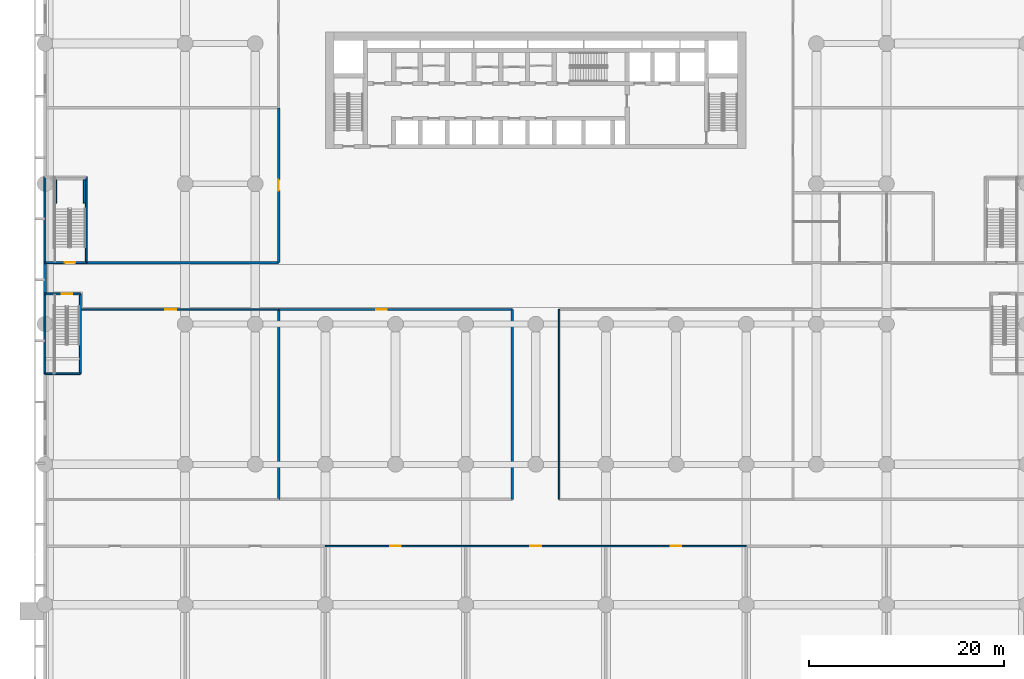
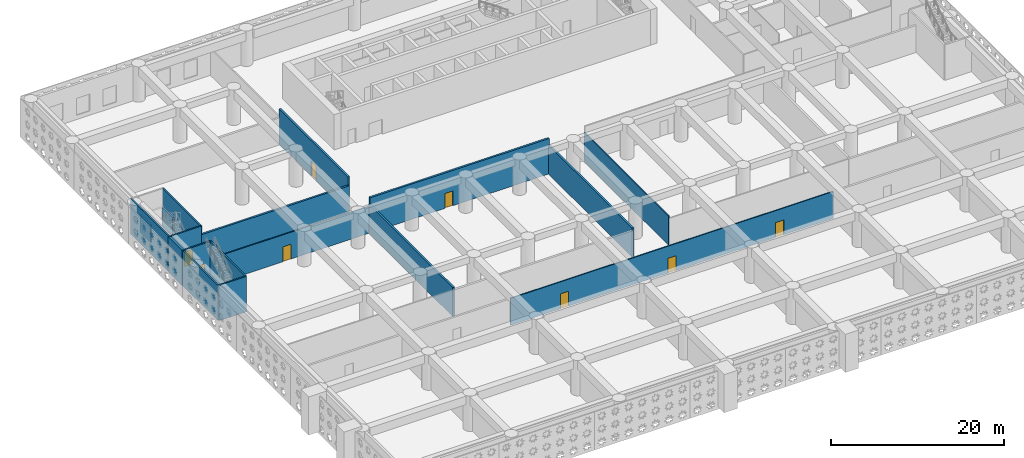
# One storey, part 5 of 30: 18 walls, 8 doors, 8 openings.
"""IFC4 building model written with IfcOpenShell, lengths in metres."""

from ifc_helpers import new_model, si_unit, direction, frame, frame_2d, origin, place, context, subcontext, project, spatial, rectangle, extrude, material, layer, layer_set, type_object, element, fill, save


model = new_model("IFC4")

# Units and contexts
model_context = context("Model", 3, precision=1e-05, world=origin(), true_north=direction((0.0, 1.0)))
body_context = subcontext(model_context, "Body", "Model", "MODEL_VIEW")
ifc_project = project(units=[si_unit("LENGTHUNIT", "METRE"), si_unit("AREAUNIT", "SQUARE_METRE"), si_unit("VOLUMEUNIT", "CUBIC_METRE"), si_unit("PLANEANGLEUNIT", "RADIAN"), si_unit("MASSUNIT", "GRAM", prefix="KILO")], contexts=[model_context])

# Site, building, storey
site_placement = place(None, origin())
site = spatial("IfcSite", under=ifc_project, at=site_placement, CompositionType="ELEMENT")
building_placement = place(site_placement, origin())
building = spatial("IfcBuilding", under=site, at=building_placement, Name="Saffron Iwan Residences", CompositionType="ELEMENT")
storey_placement = place(building_placement, frame((0.0, 0.0, 7.800048828125)))
storey = spatial("IfcBuildingStorey", under=building, at=storey_placement, Name="L01", CompositionType="ELEMENT", Elevation=7.800048828125)

# Wall, openings, doors
ifc_material_1 = material(Name="Concrete blockwork", Category="masonry")
ifc_layer_1 = layer(ifc_material_1, 0.14990234375)
ifc_layer_set_1 = layer_set([ifc_layer_1], Name="Concrete blockwork")
wall_type_1 = type_object("IfcWallType", Name="Blockwork partition 150", PredefinedType="PARTITIONING", material=ifc_layer_set_1)
wall_1_placement = place(storey_placement, frame((28.800048828125, 25.199951171875, 0.0), z_axis=(0.0, 0.0, 1.0), x_axis=(1.0, 0.0, 0.0)))
wall_1 = element("IfcWall", 1, at=wall_1_placement, inside=storey, type_object=wall_type_1, Name="W-L01-002", PredefinedType="PARTITIONING", context=body_context, shape_type="SweptSolid", body=[
    extrude(rectangle(XDim=43.199951171875, YDim=0.14990234375, at=frame_2d((21.60009765625, 0.0))), origin(), (0.0, 0.0, 1.0), 3.800048828125),
])
opening_1_placement = place(wall_1_placement, frame((6.64990234375, 0.0, 0.0)))
opening_1 = element("IfcOpeningElement", 2, at=opening_1_placement, cuts=wall_1, Name="Opening L01.03", PredefinedType="OPENING", context=body_context, shape_type="SweptSolid", body=[
    extrude(rectangle(XDim=1.10009765625, YDim=2.10009765625, at=frame_2d((0.550048828125, 1.050048828125))), frame((0.0, 0.0849609375, 0.0), z_axis=(0.0, -1.0, 0.0), x_axis=(1.0, 0.0, 0.0)), (0.0, 0.0, 1.0), 0.169921875),
])
opening_2_placement = place(wall_1_placement, frame((21.050048828125, 0.0, 0.0)))
opening_2 = element("IfcOpeningElement", 3, at=opening_2_placement, cuts=wall_1, Name="Opening L01.04", PredefinedType="OPENING", context=body_context, shape_type="SweptSolid", body=[
    extrude(rectangle(XDim=1.10009765625, YDim=2.10009765625, at=frame_2d((0.550048828125, 1.050048828125))), frame((0.0, 0.0849609375, 0.0), z_axis=(0.0, -1.0, 0.0), x_axis=(1.0, 0.0, 0.0)), (0.0, 0.0, 1.0), 0.169921875),
])
opening_3_placement = place(wall_1_placement, frame((35.449951171875, 0.0, 0.0)))
opening_3 = element("IfcOpeningElement", 4, at=opening_3_placement, cuts=wall_1, Name="Opening L01.05", PredefinedType="OPENING", context=body_context, shape_type="SweptSolid", body=[
    extrude(rectangle(XDim=1.10009765625, YDim=2.10009765625, at=frame_2d((0.550048828125, 1.050048828125))), frame((0.0, 0.0849609375, 0.0), z_axis=(0.0, -1.0, 0.0), x_axis=(1.0, 0.0, 0.0)), (0.0, 0.0, 1.0), 0.169921875),
])
ifc_material_2 = material(Name="Timber", Category="wood")
door_type_1 = type_object("IfcDoorType", Name="Door 1100x2100", OperationType="NOTDEFINED", PredefinedType="DOOR", material=ifc_material_2)
door_1_placement = place(opening_1_placement, origin())
door_1 = element("IfcDoor", 5, at=door_1_placement, inside=storey, type_object=door_type_1, Name="D-L01-003", OperationType="SINGLE_SWING_LEFT", OverallHeight=2.10009765625, OverallWidth=1.10009765625, PredefinedType="DOOR", context=body_context, shape_type="SweptSolid", body=[
    extrude(rectangle(XDim=1.10009765625, YDim=2.10009765625, at=frame_2d((0.550048828125, 1.050048828125))), frame((0.0, 0.02490234375, 0.0), z_axis=(0.0, -1.0, 0.0), x_axis=(1.0, 0.0, 0.0)), (0.0, 0.0, 1.0), 0.050048828125),
])
fill(opening_1, door_1)
door_2_placement = place(opening_2_placement, origin())
door_2 = element("IfcDoor", 6, at=door_2_placement, inside=storey, type_object=door_type_1, Name="D-L01-004", OperationType="SINGLE_SWING_RIGHT", OverallHeight=2.10009765625, OverallWidth=1.10009765625, PredefinedType="DOOR", context=body_context, shape_type="SweptSolid", body=[
    extrude(rectangle(XDim=1.10009765625, YDim=2.10009765625, at=frame_2d((0.550048828125, 1.050048828125))), frame((0.0, 0.02490234375, 0.0), z_axis=(0.0, -1.0, 0.0), x_axis=(1.0, 0.0, 0.0)), (0.0, 0.0, 1.0), 0.050048828125),
])
fill(opening_2, door_2)
door_3_placement = place(opening_3_placement, origin())
door_3 = element("IfcDoor", 7, at=door_3_placement, inside=storey, type_object=door_type_1, Name="D-L01-005", OperationType="SINGLE_SWING_RIGHT", OverallHeight=2.10009765625, OverallWidth=1.10009765625, PredefinedType="DOOR", context=body_context, shape_type="SweptSolid", body=[
    extrude(rectangle(XDim=1.10009765625, YDim=2.10009765625, at=frame_2d((0.550048828125, 1.050048828125))), frame((0.0, 0.02490234375, 0.0), z_axis=(0.0, -1.0, 0.0), x_axis=(1.0, 0.0, 0.0)), (0.0, 0.0, 1.0), 0.050048828125),
])
fill(opening_3, door_3)

# Wall, opening, door
wall_2_placement = place(storey_placement, frame((3.75, 49.5, 0.0), z_axis=(0.0, 0.0, 1.0), x_axis=(1.0, 0.0, 0.0)))
wall_2 = element("IfcWall", 8, at=wall_2_placement, inside=storey, type_object=wall_type_1, Name="W-L01-011", PredefinedType="PARTITIONING", context=body_context, shape_type="SweptSolid", body=[
    extrude(rectangle(XDim=20.25, YDim=0.14990234375, at=frame_2d((10.125, 0.0))), origin(), (0.0, 0.0, 1.0), 3.800048828125),
])
opening_4_placement = place(wall_2_placement, frame((8.625, 0.0, 0.0)))
opening_4 = element("IfcOpeningElement", 9, at=opening_4_placement, cuts=wall_2, Name="Opening L01.08", PredefinedType="OPENING", context=body_context, shape_type="SweptSolid", body=[
    extrude(rectangle(XDim=1.10009765625, YDim=2.10009765625, at=frame_2d((0.550048828125, 1.050048828125))), frame((0.0, 0.0849609375, 0.0), z_axis=(0.0, -1.0, 0.0), x_axis=(1.0, 0.0, 0.0)), (0.0, 0.0, 1.0), 0.169921875),
])
door_4_placement = place(opening_4_placement, origin())
door_4 = element("IfcDoor", 10, at=door_4_placement, inside=storey, type_object=door_type_1, Name="D-L01-008", OperationType="SINGLE_SWING_LEFT", OverallHeight=2.10009765625, OverallWidth=1.10009765625, PredefinedType="DOOR", context=body_context, shape_type="SweptSolid", body=[
    extrude(rectangle(XDim=1.10009765625, YDim=2.10009765625, at=frame_2d((0.550048828125, 1.050048828125))), frame((0.0, 0.02490234375, 0.0), z_axis=(0.0, -1.0, 0.0), x_axis=(1.0, 0.0, 0.0)), (0.0, 0.0, 1.0), 0.050048828125),
])
fill(opening_4, door_4)

# Wall
wall_3_placement = place(storey_placement, frame((52.800048828125, 30.0, 0.0), z_axis=(0.0, 0.0, 1.0), x_axis=(0.0, 1.0, 0.0)))
element("IfcWall", 11, at=wall_3_placement, inside=storey, type_object=wall_type_1, Name="W-L01-042", PredefinedType="PARTITIONING", context=body_context, shape_type="SweptSolid", body=[
    extrude(rectangle(XDim=19.5, YDim=0.14990234375, at=frame_2d((9.75, 0.0))), origin(), (0.0, 0.0, 1.0), 4.099853515625),
])

# Wall, opening, door
ifc_material_3 = material(Name="Concrete C40/50", Category="concrete")
ifc_layer_2 = layer(ifc_material_3, 0.25)
ifc_layer_set_2 = layer_set([ifc_layer_2], Name="Concrete C40/50")
wall_type_2 = type_object("IfcWallType", Name="Fire compartment wall 250", PredefinedType="SOLIDWALL", material=ifc_layer_set_2)
wall_4_placement = place(storey_placement, frame((24.0, 49.5, 0.0), z_axis=(0.0, 0.0, 1.0), x_axis=(1.0, 0.0, 0.0)))
wall_4 = element("IfcWall", 12, at=wall_4_placement, inside=storey, type_object=wall_type_2, Name="W-L01-013", PredefinedType="SOLIDWALL", context=body_context, shape_type="SweptSolid", body=[
    extrude(rectangle(XDim=24.0, YDim=0.25, at=frame_2d((12.0, 0.0))), origin(), (0.0, 0.0, 1.0), 5.0),
])
opening_5_placement = place(wall_4_placement, frame((10.0, 0.0, 0.0)))
opening_5 = element("IfcOpeningElement", 13, at=opening_5_placement, cuts=wall_4, Name="Opening L01.09", PredefinedType="OPENING", context=body_context, shape_type="SweptSolid", body=[
    extrude(rectangle(XDim=1.10009765625, YDim=2.10009765625, at=frame_2d((0.550048828125, 1.050048828125))), frame((0.0, 0.135009765625, 0.0), z_axis=(0.0, -1.0, 0.0), x_axis=(1.0, 0.0, 0.0)), (0.0, 0.0, 1.0), 0.27001953125),
])
ifc_material_4 = material(Name="Steel", Category="steel")
door_type_2 = type_object("IfcDoorType", Name="Fire door 1100x2100", OperationType="NOTDEFINED", PredefinedType="DOOR", material=ifc_material_4)
door_5_placement = place(opening_5_placement, origin())
door_5 = element("IfcDoor", 14, at=door_5_placement, inside=storey, type_object=door_type_2, Name="D-L01-009", OperationType="SINGLE_SWING_LEFT", OverallHeight=2.10009765625, OverallWidth=1.10009765625, PredefinedType="DOOR", context=body_context, shape_type="SweptSolid", body=[
    extrude(rectangle(XDim=1.10009765625, YDim=2.10009765625, at=frame_2d((0.550048828125, 1.050048828125))), frame((0.0, 0.02490234375, 0.0), z_axis=(0.0, -1.0, 0.0), x_axis=(1.0, 0.0, 0.0)), (0.0, 0.0, 1.0), 0.050048828125),
])
fill(opening_5, door_5)

# Walls
wall_5_placement = place(storey_placement, frame((4.25, 54.300048828125, 0.0), z_axis=(0.0, 0.0, 1.0), x_axis=(1.0, 0.0, 0.0)))
element("IfcWall", 15, at=wall_5_placement, inside=storey, type_object=wall_type_2, Name="W-L01-020", PredefinedType="SOLIDWALL", context=body_context, shape_type="SweptSolid", body=[
    extrude(rectangle(XDim=19.75, YDim=0.25, at=frame_2d((9.875, 0.0))), origin(), (0.0, 0.0, 1.0), 3.800048828125),
])
wall_6_placement = place(storey_placement, frame((24.0, 30.0, 0.0), z_axis=(0.0, 0.0, 1.0), x_axis=(0.0, 1.0, 0.0)))
element("IfcWall", 16, at=wall_6_placement, inside=storey, type_object=wall_type_2, Name="W-L01-037", PredefinedType="SOLIDWALL", context=body_context, shape_type="SweptSolid", body=[
    extrude(rectangle(XDim=19.5, YDim=0.25, at=frame_2d((9.75, 0.0))), origin(), (0.0, 0.0, 1.0), 4.099853515625),
])

# Wall, opening, door
wall_7_placement = place(storey_placement, frame((24.0, 54.300048828125, 0.0), z_axis=(0.0, 0.0, 1.0), x_axis=(0.0, 1.0, 0.0)))
wall_7 = element("IfcWall", 17, at=wall_7_placement, inside=storey, type_object=wall_type_2, Name="W-L01-038", PredefinedType="SOLIDWALL", context=body_context, shape_type="SweptSolid", body=[
    extrude(rectangle(XDim=15.89990234375, YDim=0.25, at=frame_2d((7.949951171875, 0.0))), origin(), (0.0, 0.0, 1.0), 5.0),
])
opening_6_placement = place(wall_7_placement, frame((7.39990234375, 0.0, 0.0)))
opening_6 = element("IfcOpeningElement", 18, at=opening_6_placement, cuts=wall_7, Name="Opening L01.12", PredefinedType="OPENING", context=body_context, shape_type="SweptSolid", body=[
    extrude(rectangle(XDim=1.10009765625, YDim=2.10009765625, at=frame_2d((0.550048828125, 1.050048828125))), frame((0.0, 0.135009765625, 0.0), z_axis=(0.0, -1.0, 0.0), x_axis=(1.0, 0.0, 0.0)), (0.0, 0.0, 1.0), 0.27001953125),
])
door_6_placement = place(opening_6_placement, origin())
door_6 = element("IfcDoor", 19, at=door_6_placement, inside=storey, type_object=door_type_2, Name="D-L01-012", OperationType="SINGLE_SWING_RIGHT", OverallHeight=2.10009765625, OverallWidth=1.10009765625, PredefinedType="DOOR", context=body_context, shape_type="SweptSolid", body=[
    extrude(rectangle(XDim=1.10009765625, YDim=2.10009765625, at=frame_2d((0.550048828125, 1.050048828125))), frame((0.0, 0.02490234375, 0.0), z_axis=(0.0, -1.0, 0.0), x_axis=(1.0, 0.0, 0.0)), (0.0, 0.0, 1.0), 0.050048828125),
])
fill(opening_6, door_6)

# Walls
wall_8_placement = place(storey_placement, frame((48.0, 30.0, 0.0), z_axis=(0.0, 0.0, 1.0), x_axis=(0.0, 1.0, 0.0)))
element("IfcWall", 20, at=wall_8_placement, inside=storey, type_object=wall_type_2, Name="W-L01-041", PredefinedType="SOLIDWALL", context=body_context, shape_type="SweptSolid", body=[
    extrude(rectangle(XDim=19.5, YDim=0.25, at=frame_2d((9.75, 0.0))), origin(), (0.0, 0.0, 1.0), 4.099853515625),
])
ifc_layer_3 = layer(ifc_material_3, 0.199951171875)
ifc_layer_set_3 = layer_set([ifc_layer_3], Name="Concrete C40/50")
wall_type_3 = type_object("IfcWallType", Name="Landing support wall, reinforced concrete 200", PredefinedType="SOLIDWALL", material=ifc_layer_set_3)
for number, where, z_axis, x_axis, name in (
    (21, (1.10009765625, 60.419921875, 0.0), (0.0, 0.0, 1.0), (0.0, 1.0, 0.0), "PS3 landing support wall"),
    (22, (4.050048828125, 60.419921875, 0.0), (0.0, 0.0, 1.0), (0.0, 1.0, 0.0), "PS3 landing support wall"),
):
    element("IfcWall", number, at=place(storey_placement, frame(where, z_axis=z_axis, x_axis=x_axis)), inside=storey, type_object=wall_type_3, Name=name, PredefinedType="SOLIDWALL", context=body_context, shape_type="SweptSolid", body=[
        extrude(rectangle(XDim=2.380126953125, YDim=0.199951171875, at=frame_2d((1.18994140625, 0.0))), origin(), (0.0, 0.0, 1.0), 2.5),
    ])
ifc_material_5 = material(Name="Precast concrete C40/50", Category="concrete")
ifc_layer_4 = layer(ifc_material_5, 0.300048828125)
ifc_layer_set_4 = layer_set([ifc_layer_4], Name="Precast concrete C40/50")
wall_type_4 = type_object("IfcWallType", Name="Podium external wall 300", PredefinedType="SOLIDWALL", material=ifc_layer_set_4)
wall_9_placement = place(storey_placement, frame((0.0, 51.10009765625, 0.0), z_axis=(0.0, 0.0, 1.0), x_axis=(0.0, 1.0, 0.0)))
element("IfcWall", 23, at=wall_9_placement, inside=storey, type_object=wall_type_4, Name="W-L01-029", PredefinedType="SOLIDWALL", context=body_context, shape_type="SweptSolid", body=[
    extrude(rectangle(XDim=3.199951171875, YDim=0.300048828125, at=frame_2d((1.60009765625, 0.0))), origin(), (0.0, 0.0, 1.0), 5.0),
])
ifc_layer_5 = layer(ifc_material_3, 0.199951171875)
ifc_layer_set_5 = layer_set([ifc_layer_5], Name="Concrete C40/50")
wall_type_5 = type_object("IfcWallType", Name="Reinforced concrete stair wall 200", PredefinedType="SOLIDWALL", material=ifc_layer_set_5)
wall_10_placement = place(storey_placement, frame((0.0, 42.89990234375, 0.0), z_axis=(0.0, 0.0, 1.0), x_axis=(1.0, 0.0, 0.0)))
element("IfcWall", 24, at=wall_10_placement, inside=storey, type_object=wall_type_5, Name="W-L01-009", PredefinedType="SOLIDWALL", context=body_context, shape_type="SweptSolid", body=[
    extrude(rectangle(XDim=3.64990234375, YDim=0.199951171875, at=frame_2d((1.824951171875, 0.0))), origin(), (0.0, 0.0, 1.0), 5.0),
])

# Wall, opening, door
wall_11_placement = place(storey_placement, frame((0.0, 51.10009765625, 0.0), z_axis=(0.0, 0.0, 1.0), x_axis=(1.0, 0.0, 0.0)))
wall_11 = element("IfcWall", 25, at=wall_11_placement, inside=storey, type_object=wall_type_5, Name="W-L01-015", PredefinedType="SOLIDWALL", context=body_context, shape_type="SweptSolid", body=[
    extrude(rectangle(XDim=3.64990234375, YDim=0.199951171875, at=frame_2d((1.824951171875, 0.0))), origin(), (0.0, 0.0, 1.0), 5.0),
])
opening_7_placement = place(wall_11_placement, frame((1.72509765625, 0.0, 0.0)))
opening_7 = element("IfcOpeningElement", 26, at=opening_7_placement, cuts=wall_11, Name="Opening L01.20", PredefinedType="OPENING", context=body_context, shape_type="SweptSolid", body=[
    extrude(rectangle(XDim=1.10009765625, YDim=2.10009765625, at=frame_2d((0.550048828125, 1.050048828125))), frame((0.0, 0.10986328125, 0.0), z_axis=(0.0, -1.0, 0.0), x_axis=(1.0, 0.0, 0.0)), (0.0, 0.0, 1.0), 0.219970703125),
])
door_7_placement = place(opening_7_placement, origin())
door_7 = element("IfcDoor", 27, at=door_7_placement, inside=storey, type_object=door_type_2, Name="D-L01-020", OperationType="SINGLE_SWING_RIGHT", OverallHeight=2.10009765625, OverallWidth=1.10009765625, PredefinedType="DOOR", context=body_context, shape_type="SweptSolid", body=[
    extrude(rectangle(XDim=1.10009765625, YDim=2.10009765625, at=frame_2d((0.550048828125, 1.050048828125))), frame((0.0, 0.02490234375, 0.0), z_axis=(0.0, -1.0, 0.0), x_axis=(1.0, 0.0, 0.0)), (0.0, 0.0, 1.0), 0.050048828125),
])
fill(opening_7, door_7)

wall_12_placement = place(storey_placement, frame((0.0, 54.300048828125, 0.0), z_axis=(0.0, 0.0, 1.0), x_axis=(1.0, 0.0, 0.0)))
wall_12 = element("IfcWall", 28, at=wall_12_placement, inside=storey, type_object=wall_type_5, Name="W-L01-018", PredefinedType="SOLIDWALL", context=body_context, shape_type="SweptSolid", body=[
    extrude(rectangle(XDim=4.25, YDim=0.199951171875, at=frame_2d((2.125, 0.0))), origin(), (0.0, 0.0, 1.0), 5.0),
])
opening_8_placement = place(wall_12_placement, frame((2.02490234375, 0.0, 0.0)))
opening_8 = element("IfcOpeningElement", 29, at=opening_8_placement, cuts=wall_12, Name="Opening L01.22", PredefinedType="OPENING", context=body_context, shape_type="SweptSolid", body=[
    extrude(rectangle(XDim=1.10009765625, YDim=2.10009765625, at=frame_2d((0.550048828125, 1.050048828125))), frame((0.0, 0.10986328125, 0.0), z_axis=(0.0, -1.0, 0.0), x_axis=(1.0, 0.0, 0.0)), (0.0, 0.0, 1.0), 0.219970703125),
])
door_8_placement = place(opening_8_placement, origin())
door_8 = element("IfcDoor", 30, at=door_8_placement, inside=storey, type_object=door_type_2, Name="D-L01-022", OperationType="SINGLE_SWING_RIGHT", OverallHeight=2.10009765625, OverallWidth=1.10009765625, PredefinedType="DOOR", context=body_context, shape_type="SweptSolid", body=[
    extrude(rectangle(XDim=1.10009765625, YDim=2.10009765625, at=frame_2d((0.550048828125, 1.050048828125))), frame((0.0, 0.02490234375, 0.0), z_axis=(0.0, -1.0, 0.0), x_axis=(1.0, 0.0, 0.0)), (0.0, 0.0, 1.0), 0.050048828125),
])
fill(opening_8, door_8)

# Walls
wall_13_placement = place(storey_placement, frame((0.0, 42.89990234375, 0.0), z_axis=(0.0, 0.0, 1.0), x_axis=(0.0, 1.0, 0.0)))
element("IfcWall", 31, at=wall_13_placement, inside=storey, type_object=wall_type_5, Name="W-L01-031", PredefinedType="SOLIDWALL", context=body_context, shape_type="SweptSolid", body=[
    extrude(rectangle(XDim=8.2001953125, YDim=0.199951171875, at=frame_2d((4.10009765625, 0.0))), origin(), (0.0, 0.0, 1.0), 5.0),
])
wall_14_placement = place(storey_placement, frame((0.0, 54.300048828125, 0.0), z_axis=(0.0, 0.0, 1.0), x_axis=(0.0, 1.0, 0.0)))
element("IfcWall", 32, at=wall_14_placement, inside=storey, type_object=wall_type_5, Name="W-L01-032", PredefinedType="SOLIDWALL", context=body_context, shape_type="SweptSolid", body=[
    extrude(rectangle(XDim=8.800048828125, YDim=0.199951171875, at=frame_2d((4.39990234375, 0.0))), origin(), (0.0, 0.0, 1.0), 5.0),
])
wall_15_placement = place(storey_placement, frame((3.64990234375, 42.89990234375, 0.0), z_axis=(0.0, 0.0, 1.0), x_axis=(0.0, 1.0, 0.0)))
element("IfcWall", 33, at=wall_15_placement, inside=storey, type_object=wall_type_5, Name="W-L01-033", PredefinedType="SOLIDWALL", context=body_context, shape_type="SweptSolid", body=[
    extrude(rectangle(XDim=8.2001953125, YDim=0.199951171875, at=frame_2d((4.10009765625, 0.0))), origin(), (0.0, 0.0, 1.0), 5.0),
])
wall_16_placement = place(storey_placement, frame((4.25, 54.300048828125, 0.0), z_axis=(0.0, 0.0, 1.0), x_axis=(0.0, 1.0, 0.0)))
element("IfcWall", 34, at=wall_16_placement, inside=storey, type_object=wall_type_5, Name="W-L01-034", PredefinedType="SOLIDWALL", context=body_context, shape_type="SweptSolid", body=[
    extrude(rectangle(XDim=8.800048828125, YDim=0.199951171875, at=frame_2d((4.39990234375, 0.0))), origin(), (0.0, 0.0, 1.0), 5.0),
])

save(model, "model.ifc")
